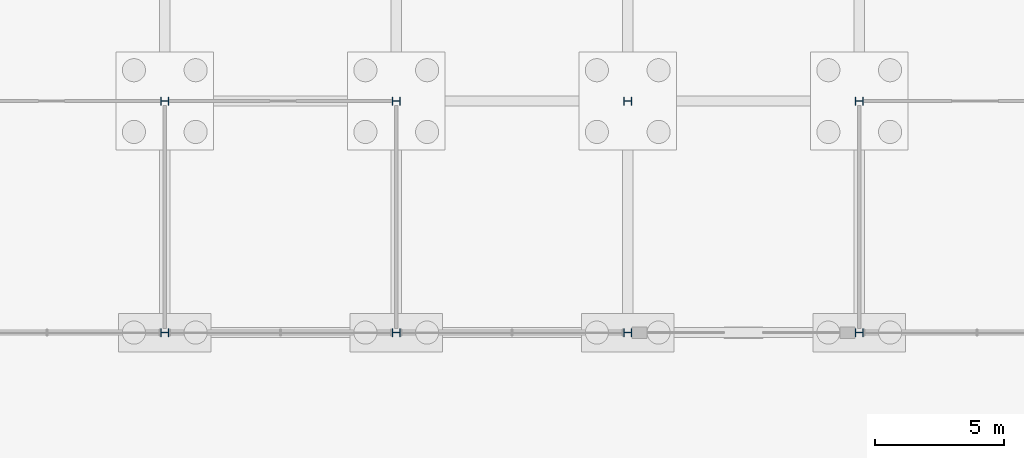
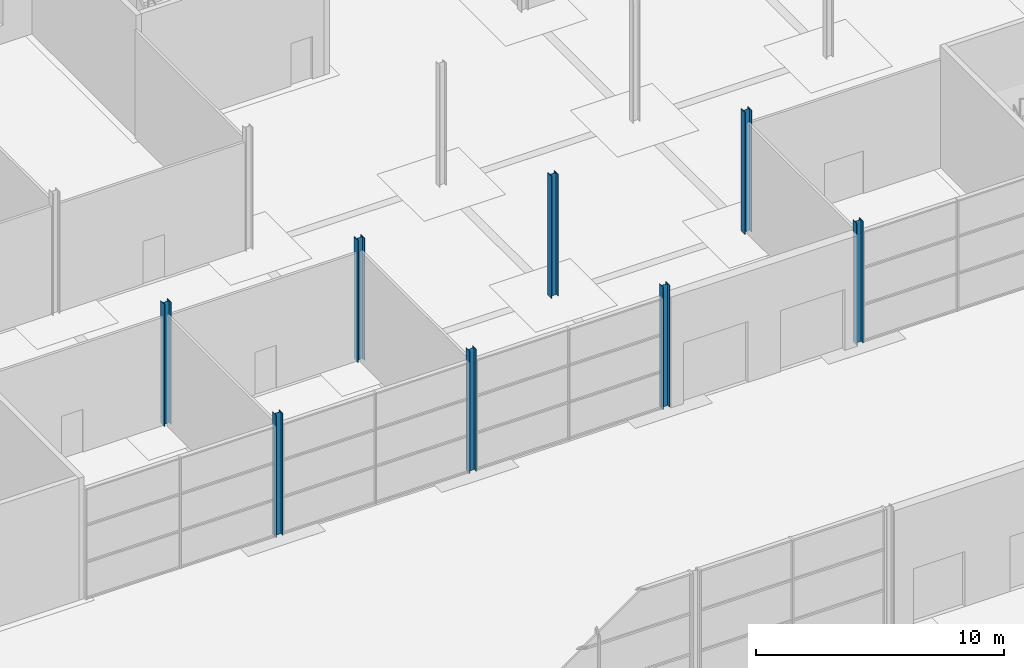
# One storey, part 12 of 97: 8 columns.
"""IFC4 building model written with IfcOpenShell, lengths in metres."""

from ifc_helpers import new_model, si_unit, direction, frame, origin, origin_2d, place, context, subcontext, project, spatial, i_section, extrude, material, material_profile, profile_set, type_object, element, save


model = new_model("IFC4")

# Units and contexts
model_context = context("Model", 3, precision=1e-05, world=origin(), true_north=direction((0.0, 1.0)))
body_context = subcontext(model_context, "Body", "Model", "MODEL_VIEW")
ifc_project = project(units=[si_unit("LENGTHUNIT", "METRE"), si_unit("AREAUNIT", "SQUARE_METRE"), si_unit("VOLUMEUNIT", "CUBIC_METRE"), si_unit("PLANEANGLEUNIT", "RADIAN"), si_unit("MASSUNIT", "GRAM", prefix="KILO")], contexts=[model_context])

# Site, building, storey
site_placement = place(None, origin())
site = spatial("IfcSite", under=ifc_project, at=site_placement, CompositionType="ELEMENT")
building_placement = place(site_placement, origin())
building = spatial("IfcBuilding", under=site, at=building_placement, Name="Corbel Yard City Hall", CompositionType="ELEMENT")
storey_placement = place(building_placement, origin())
storey = spatial("IfcBuildingStorey", under=building, at=storey_placement, Name="L00", CompositionType="ELEMENT", Elevation=0.0)

# Columns
ifc_material = material(Name="Steel Grade 300 (300 MPa yield)", Category="steel")
ifc_material_profile_1 = material_profile(ifc_material, i_section(OverallWidth=0.306884765625, OverallDepth=0.31494140625, WebThickness=0.011962890625, FlangeThickness=0.018798828125, at=origin_2d()), Name="310UC118")
ifc_profile_set_1 = profile_set([ifc_material_profile_1], Name="Steel Grade 300 (300 MPa yield)")
column_type_1 = type_object("IfcColumnType", Name="Column 310UC118", PredefinedType="COLUMN", material=ifc_profile_set_1)
for number, where, z_axis, x_axis, name in (
    (1, (72.0, 45.0, 0.0), (0.0, 0.0, 1.0), (0.0, 1.0, 0.0), "Column 310UC118 F/9 L00"),
    (2, (81.0, 45.0, 0.0), (0.0, 0.0, 1.0), (0.0, 1.0, 0.0), "Column 310UC118 F/10 L00"),
    (3, (90.0, 45.0, 0.0), (0.0, 0.0, 1.0), (0.0, 1.0, 0.0), "Column 310UC118 F/11 L00"),
    (4, (99.0, 45.0, 0.0), (0.0, 0.0, 1.0), (0.0, 1.0, 0.0), "Column 310UC118 F/12 L00"),
):
    element("IfcColumn", number, at=place(storey_placement, frame(where, z_axis=z_axis, x_axis=x_axis)), inside=storey, type_object=column_type_1, Name=name, PredefinedType="COLUMN", context=body_context, shape_type="SweptSolid", body=[
        extrude(i_section(OverallWidth=0.306884765625, OverallDepth=0.31494140625, WebThickness=0.011962890625, FlangeThickness=0.018798828125, at=origin_2d()), origin(), (0.0, 0.0, 1.0), 6.0),
    ])
ifc_material_profile_2 = material_profile(ifc_material, i_section(OverallWidth=0.31103515625, OverallDepth=0.326904296875, WebThickness=0.015625, FlangeThickness=0.02490234375, at=origin_2d()), Name="310UC158")
ifc_profile_set_2 = profile_set([ifc_material_profile_2], Name="Steel Grade 300 (300 MPa yield)")
column_type_2 = type_object("IfcColumnType", Name="Column 310UC158", PredefinedType="COLUMN", material=ifc_profile_set_2)
for number, where, z_axis, x_axis, name in (
    (5, (72.0, 54.0, 0.0), (0.0, 0.0, 1.0), (0.0, 1.0, 0.0), "Column 310UC158 G/9 L00"),
    (6, (81.0, 54.0, 0.0), (0.0, 0.0, 1.0), (0.0, 1.0, 0.0), "Column 310UC158 G/10 L00"),
    (7, (90.0, 54.0, 0.0), (0.0, 0.0, 1.0), (0.0, 1.0, 0.0), "Column 310UC158 G/11 L00"),
    (8, (99.0, 54.0, 0.0), (0.0, 0.0, 1.0), (0.0, 1.0, 0.0), "Column 310UC158 G/12 L00"),
):
    element("IfcColumn", number, at=place(storey_placement, frame(where, z_axis=z_axis, x_axis=x_axis)), inside=storey, type_object=column_type_2, Name=name, PredefinedType="COLUMN", context=body_context, shape_type="SweptSolid", body=[
        extrude(i_section(OverallWidth=0.31103515625, OverallDepth=0.326904296875, WebThickness=0.015625, FlangeThickness=0.02490234375, at=origin_2d()), origin(), (0.0, 0.0, 1.0), 6.0),
    ])

save(model, "model.ifc")
